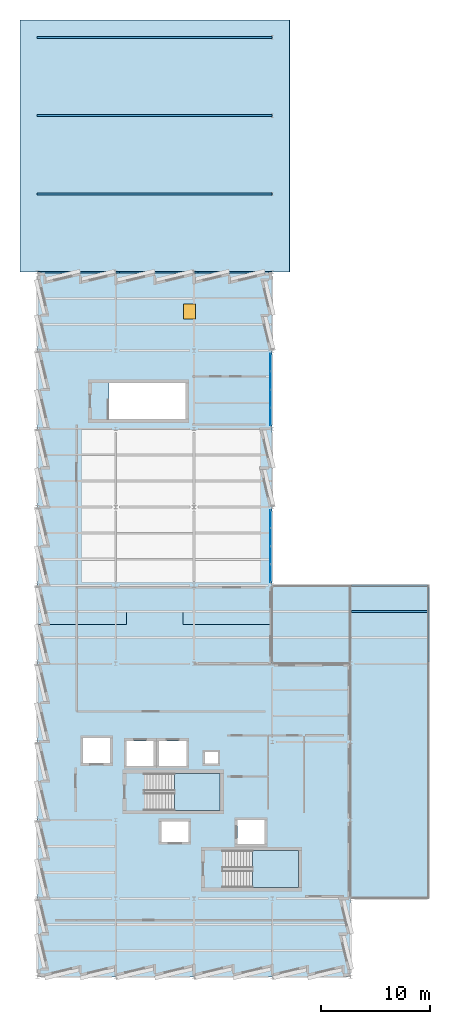
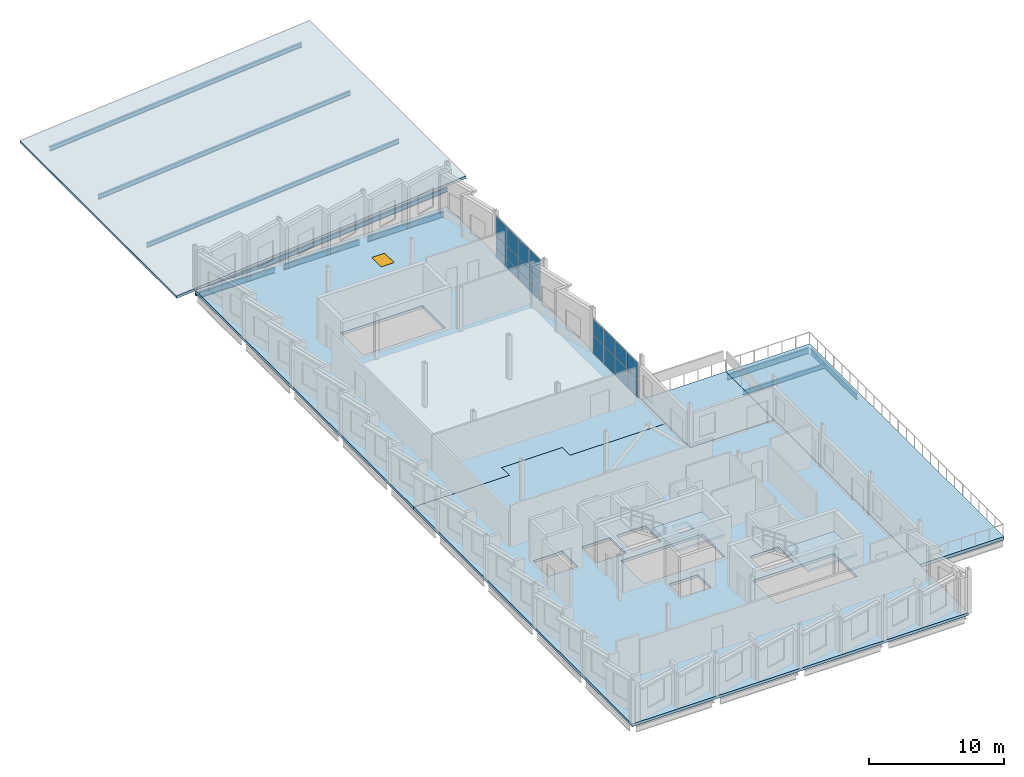
# One storey, part 10 of 18: 20 plates, 7 slabs, 6 beams, 4 members, 1 door, 1 opening, 4 elements without a shape of their own.
"""IFC4 building model written with IfcOpenShell, lengths in metres."""

from ifc_helpers import new_model, si_unit, direction, frame, origin, origin_2d, place, context, subcontext, project, spatial, polyline, rectangle, i_section, outline, extrude, material, layer, layer_set, material_profile, profile_set, type_object, element, fill, aggregate, save


model = new_model("IFC4")

# Units and contexts
model_context = context("Model", 3, precision=1e-05, world=origin(), true_north=direction((0.0, 1.0)))
body_context = subcontext(model_context, "Body", "Model", "MODEL_VIEW")
ifc_project = project(units=[si_unit("LENGTHUNIT", "METRE"), si_unit("AREAUNIT", "SQUARE_METRE"), si_unit("VOLUMEUNIT", "CUBIC_METRE"), si_unit("PLANEANGLEUNIT", "RADIAN"), si_unit("MASSUNIT", "GRAM", prefix="KILO")], contexts=[model_context])

# Site, building, storey
site_placement = place(None, origin())
site = spatial("IfcSite", under=ifc_project, at=site_placement, CompositionType="ELEMENT")
building_placement = place(site_placement, origin())
building = spatial("IfcBuilding", under=site, at=building_placement, Name="Kalmorath City Hall", CompositionType="ELEMENT")
storey_placement = place(building_placement, frame((0.0, 0.0, 27.0)))
storey = spatial("IfcBuildingStorey", under=building, at=storey_placement, Name="L06", CompositionType="ELEMENT", Elevation=27.0)

# Beam
ifc_material_1 = material(Name="Steel ASTM A992 Grade 50", Category="steel")
ifc_material_profile_1 = material_profile(ifc_material_1, i_section(OverallWidth=0.178955078125, OverallDepth=0.409912109375, WebThickness=0.0087890625, FlangeThickness=0.014404296875, FilletRadius=0.012939453125, at=origin_2d()), Name="W16X45")
ifc_profile_set_1 = profile_set([ifc_material_profile_1], Name="Steel ASTM A992 Grade 50")
beam_type_1 = type_object("IfcBeamType", Name="Steel composite joist W16X45", PredefinedType="JOIST", material=ifc_profile_set_1)
beam_1_placement = place(storey_placement, frame((28.883544921875, 33.60009765625, -0.4990234375), z_axis=(1.0, 0.0, 0.0), x_axis=(0.0, 1.0, 0.0)))
element("IfcBeam", 1, at=beam_1_placement, inside=storey, type_object=beam_type_1, Name="L06 joist SJ6 5.5.2", PredefinedType="JOIST", context=body_context, shape_type="SweptSolid", body=[
    extrude(i_section(OverallWidth=0.178955078125, OverallDepth=0.409912109375, WebThickness=0.0087890625, FlangeThickness=0.014404296875, FilletRadius=0.012939453125, at=origin_2d()), origin(), (0.0, 0.0, 1.0), 7.033935546875),
])

# Members
ifc_material_2 = material(Name="Steel ASTM A992 Grade 50", Category="steel")
ifc_material_profile_2 = material_profile(ifc_material_2, i_section(OverallWidth=0.178955078125, OverallDepth=0.409912109375, WebThickness=0.0087890625, FlangeThickness=0.014404296875, FilletRadius=0.012939453125, at=origin_2d()), Name="W16X45")
ifc_profile_set_2 = profile_set([ifc_material_profile_2], Name="Steel ASTM A992 Grade 50")
member_type = type_object("IfcMemberType", Name="Steel pitched roof rafter W16X45", PredefinedType="RAFTER", material=ifc_profile_set_2)
for number, where, z_axis, x_axis, name in (
    (2, (0.0, 64.800048828125, -0.320068359375), (0.99615301041, 0.0, 0.087630929765), (0.0, 1.0, 0.0), "V6 pitched roof rafter RF2-1"),
    (3, (0.0, 72.0, -0.320068359375), (0.99615301041, 0.0, 0.087630929765), (0.0, 1.0, 0.0), "V6 pitched roof rafter RF2-2"),
    (4, (0.0, 79.199951171875, -0.320068359375), (0.99615301041, 0.0, 0.087630929765), (0.0, 1.0, 0.0), "V6 pitched roof rafter RF2-3"),
    (5, (0.0, 86.39990234375, -0.320068359375), (0.99615301041, 0.0, 0.087630929765), (0.0, 1.0, 0.0), "V6 pitched roof rafter RF2-4"),
):
    element("IfcMember", number, at=place(storey_placement, frame(where, z_axis=z_axis, x_axis=x_axis)), inside=storey, type_object=member_type, Name=name, PredefinedType="RAFTER", context=body_context, shape_type="SweptSolid", body=[
        extrude(i_section(OverallWidth=0.178955078125, OverallDepth=0.409912109375, WebThickness=0.0087890625, FlangeThickness=0.014404296875, FilletRadius=0.012939453125, at=origin_2d()), origin(), (0.0, 0.0, 1.0), 21.68359375),
    ])

# Beams
ifc_material_3 = material(Name="Steel ASTM A992 Grade 50", Category="steel")
ifc_material_profile_3 = material_profile(ifc_material_3, i_section(OverallWidth=0.1650390625, OverallDepth=0.52490234375, WebThickness=0.0087890625, FlangeThickness=0.011474609375, FilletRadius=0.014892578125, at=origin_2d()), Name="W21X44")
ifc_profile_set_3 = profile_set([ifc_material_profile_3], Name="Steel ASTM A992 Grade 50")
beam_type_2 = type_object("IfcBeamType", Name="Steel spandrel beam W21X44", PredefinedType="SPANDREL", material=ifc_profile_set_3)
beam_2_placement = place(storey_placement, frame((28.902099609375, 36.0, -0.556396484375), z_axis=(1.0, 0.0, 0.0), x_axis=(0.0, 1.0, 0.0)))
element("IfcBeam", 6, at=beam_2_placement, inside=storey, type_object=beam_type_2, Name="L06 girder SB4 X5-6/6", PredefinedType="SPANDREL", context=body_context, shape_type="SweptSolid", body=[
    extrude(i_section(OverallWidth=0.1650390625, OverallDepth=0.52490234375, WebThickness=0.0087890625, FlangeThickness=0.011474609375, FilletRadius=0.014892578125, at=origin_2d()), origin(), (0.0, 0.0, 1.0), 6.995849609375),
])
for number, where, z_axis, x_axis, name in (
    (7, (0.35009765625, 64.800048828125, -0.556396484375), (1.0, 0.0, 0.0), (0.0, 1.0, 0.0), "L06 girder SB4 X1-2/10"),
    (8, (7.550048828125, 64.800048828125, -0.556396484375), (1.0, 0.0, 0.0), (0.0, 1.0, 0.0), "L06 girder SB4 X2-3/10"),
    (9, (14.75, 64.800048828125, -0.556396484375), (1.0, 0.0, 0.0), (0.0, 1.0, 0.0), "L06 girder SB4 X3-4/10"),
):
    element("IfcBeam", number, at=place(storey_placement, frame(where, z_axis=z_axis, x_axis=x_axis)), inside=storey, type_object=beam_type_2, Name=name, PredefinedType="SPANDREL", context=body_context, shape_type="SweptSolid", body=[
        extrude(i_section(OverallWidth=0.1650390625, OverallDepth=0.52490234375, WebThickness=0.0087890625, FlangeThickness=0.011474609375, FilletRadius=0.014892578125, at=origin_2d()), origin(), (0.0, 0.0, 1.0), 6.5),
    ])
beam_3_placement = place(storey_placement, frame((36.0, 28.97509765625, -0.556396484375), z_axis=(0.0, 1.0, 0.0), x_axis=(-1.0, 0.0, 0.0)))
element("IfcBeam", 10, at=beam_3_placement, inside=storey, type_object=beam_type_2, Name="L06 girder SB4 Y6/5-6", PredefinedType="SPANDREL", context=body_context, shape_type="SweptSolid", body=[
    extrude(i_section(OverallWidth=0.1650390625, OverallDepth=0.52490234375, WebThickness=0.0087890625, FlangeThickness=0.011474609375, FilletRadius=0.014892578125, at=origin_2d()), origin(), (0.0, 0.0, 1.0), 6.849853515625),
])

# Slab
ifc_material_4 = material(Name="Concrete C40/50", Category="concrete")
ifc_layer_1 = layer(ifc_material_4, 0.25)
ifc_layer_set_1 = layer_set([ifc_layer_1], Name="Concrete C40/50")
slab_type_1 = type_object("IfcSlabType", Name="Concrete municipal wing floor slab 250", PredefinedType="FLOOR", material=ifc_layer_set_1)
slab_1_placement = place(storey_placement, frame((0.0, 0.0, -0.25)))
element("IfcSlab", 11, at=slab_1_placement, inside=storey, type_object=slab_type_1, Name="L06 Corner Administration Block slab FS5-1", PredefinedType="FLOOR", context=body_context, shape_type="SweptSolid", body=[
    extrude(outline(polyline([(28.800048828125, 0.0), (0.0, 0.0), (0.0, 32.39990234375), (8.199951171875, 32.39990234375), (8.199951171875, 33.550048828125), (13.39990234375, 33.550048828125), (13.39990234375, 32.39990234375), (21.60009765625, 32.39990234375), (21.60009765625, 28.800048828125), (28.800048828125, 28.800048828125), (28.800048828125, 0.0)]), holes=[polyline([(9.840087890625, 18.699951171875), (9.840087890625, 15.300048828125), (16.800048828125, 15.300048828125), (16.800048828125, 18.699951171875), (9.840087890625, 18.699951171875)]), polyline([(6.699951171875, 21.949951171875), (4.199951171875, 21.949951171875), (4.199951171875, 19.64990234375), (6.699951171875, 19.64990234375), (6.699951171875, 21.949951171875)]), polyline([(10.699951171875, 19.39990234375), (10.699951171875, 21.699951171875), (8.199951171875, 21.699951171875), (8.199951171875, 19.39990234375), (10.699951171875, 19.39990234375)]), polyline([(11.199951171875, 19.39990234375), (13.699951171875, 19.39990234375), (13.699951171875, 21.699951171875), (11.199951171875, 21.699951171875), (11.199951171875, 19.39990234375)]), polyline([(17.0400390625, 11.60009765625), (17.0400390625, 8.199951171875), (24.0, 8.199951171875), (24.0, 11.60009765625), (17.0400390625, 11.60009765625)]), polyline([(13.89990234375, 14.300048828125), (11.39990234375, 14.300048828125), (11.39990234375, 12.39990234375), (13.89990234375, 12.39990234375), (13.89990234375, 14.300048828125)]), polyline([(20.89990234375, 12.199951171875), (20.89990234375, 14.39990234375), (18.39990234375, 14.39990234375), (18.39990234375, 12.199951171875), (20.89990234375, 12.199951171875)]), polyline([(15.39990234375, 20.679931640625), (15.39990234375, 19.60009765625), (16.60009765625, 19.60009765625), (16.60009765625, 20.679931640625), (15.39990234375, 20.679931640625)])]), origin(), (0.0, 0.0, 1.0), 0.25),
])

# Slab, opening, door
slab_2_placement = place(storey_placement, frame((0.0, 0.0, -0.25)))
slab_2 = element("IfcSlab", 12, at=slab_2_placement, inside=storey, type_object=slab_type_1, Name="L06 Corner Administration Block slab FS5-2", PredefinedType="FLOOR", context=body_context, shape_type="SweptSolid", body=[
    extrude(outline(polyline([(21.60009765625, 64.800048828125), (21.60009765625, 32.39990234375), (13.39990234375, 32.39990234375), (13.39990234375, 33.550048828125), (8.199951171875, 33.550048828125), (8.199951171875, 32.39990234375), (0.0, 32.39990234375), (0.0, 64.800048828125), (21.60009765625, 64.800048828125)]), holes=[polyline([(6.590087890625, 51.300048828125), (13.60009765625, 51.300048828125), (13.60009765625, 54.60009765625), (6.590087890625, 54.60009765625), (6.590087890625, 51.300048828125)])]), origin(), (0.0, 0.0, 1.0), 0.25),
])
opening_placement = place(slab_2_placement, frame((14.0, 61.199951171875, 0.0)))
opening = element("IfcOpeningElement", 13, at=opening_placement, cuts=slab_2, Name="Opening D-H03", PredefinedType="OPENING", context=body_context, shape_type="SweptSolid", body=[
    extrude(rectangle(XDim=1.10009765625, YDim=1.39990234375, at=origin_2d()), origin(), (0.0, 0.0, 1.0), 0.25),
])
ifc_material_5 = material(Name="Galvanised steel hatch", Category="steel")
door_type = type_object("IfcDoorType", Name="Insulated hurricane roof access hatch 1100x1400", OperationType="SINGLE_SWING_LEFT", PredefinedType="TRAPDOOR", material=ifc_material_5)
door_placement = place(opening_placement, frame((0.0, 0.0, 0.199951171875)))
door = element("IfcDoor", 14, at=door_placement, inside=storey, type_object=door_type, Name="L06 roof access hatch D-H03", OperationType="SINGLE_SWING_LEFT", OverallHeight=1.39990234375, OverallWidth=1.10009765625, PredefinedType="TRAPDOOR", context=body_context, shape_type="SweptSolid", body=[
    extrude(rectangle(XDim=1.10009765625, YDim=1.39990234375, at=origin_2d()), origin(), (0.0, 0.0, 1.0), 0.050048828125),
])
fill(opening, door)

# Slabs
ifc_material_6 = material(Name="Concrete C40/50", Category="concrete")
ifc_layer_2 = layer(ifc_material_6, 0.2900390625)
ifc_layer_set_2 = layer_set([ifc_layer_2], Name="Concrete C40/50")
slab_type_2 = type_object("IfcSlabType", Name="Concrete planted roof terrace slab 290", PredefinedType="FLOOR", material=ifc_layer_set_2)
slab_3_placement = place(storey_placement, frame((0.0, 0.0, -0.2900390625)))
element("IfcSlab", 15, at=slab_3_placement, inside=storey, type_object=slab_type_2, Name="L06 Executive East Roof Terrace slab", PredefinedType="FLOOR", context=body_context, shape_type="SweptSolid", body=[
    extrude(outline(polyline([(28.800048828125, 7.199951171875), (36.0, 7.199951171875), (36.0, 36.0), (28.800048828125, 36.0), (28.800048828125, 7.199951171875)])), origin(), (0.0, 0.0, 1.0), 0.2900390625),
])
ifc_material_7 = material(Name="Concrete C40/50", Category="concrete")
ifc_layer_3 = layer(ifc_material_7, 0.22998046875)
ifc_layer_set_3 = layer_set([ifc_layer_3], Name="Concrete C40/50")
slab_type_3 = type_object("IfcSlabType", Name="Concrete recessed corner loggia slab 230", PredefinedType="FLOOR", material=ifc_layer_set_3)
slab_4_placement = place(storey_placement, frame((0.0, 0.0, -0.22998046875)))
element("IfcSlab", 16, at=slab_4_placement, inside=storey, type_object=slab_type_3, Name="L06 Northeast Corner Loggia slab", PredefinedType="FLOOR", context=body_context, shape_type="SweptSolid", body=[
    extrude(outline(polyline([(21.60009765625, 28.800048828125), (28.800048828125, 28.800048828125), (28.800048828125, 36.0), (21.60009765625, 36.0), (21.60009765625, 28.800048828125)])), origin(), (0.0, 0.0, 1.0), 0.22998046875),
])
ifc_material_8 = material(Name="Concrete C40/50", Category="concrete")
ifc_layer_4 = layer(ifc_material_8, 0.219970703125)
ifc_layer_set_4 = layer_set([ifc_layer_4], Name="Concrete C40/50")
slab_type_4 = type_object("IfcSlabType", Name="Concrete sloped hurricane roof slab 220", PredefinedType="ROOF", material=ifc_layer_set_4)
slab_5_placement = place(storey_placement, frame((-1.60009765625, 64.800048828125, 0.0), z_axis=(-0.088360559345, 0.0, 0.996088556079), x_axis=(0.996088556079, 0.0, 0.088360559345)))
element("IfcSlab", 17, at=slab_5_placement, inside=storey, type_object=slab_type_4, Name="West Sawtooth Wing L06 north pitched roof", PredefinedType="ROOF", context=body_context, shape_type="SweptSolid", body=[
    extrude(outline(polyline([(0.0, 0.0), (24.897433743982898, 0.0), (24.897433743982898, 23.199951171875), (0.0, 23.199951171875), (0.0, 0.0)])), origin(), (0.0, 0.0, -1.0), 0.219970703125),
])

# Stair, slab
ifc_material_9 = material(Name="Concrete C40/50", Category="concrete")
stair_type = type_object("IfcStairType", Name="Dogleg concrete exit stair 22R x 184mm W1600", PredefinedType="HALF_TURN_STAIR", material=ifc_material_9)
stair_1_placement = place(storey_placement, origin())
stair_1 = element("IfcStair", 18, at=stair_1_placement, inside=storey, type_object=stair_type, Name="L06 Protected exit stair ST-1", PredefinedType="HALF_TURN_STAIR")
ifc_material_10 = material(Name="Concrete C40/50", Category="concrete")
ifc_layer_5 = layer(ifc_material_10, 0.199951171875)
ifc_layer_set_5 = layer_set([ifc_layer_5], Name="Concrete C40/50")
slab_type_5 = type_object("IfcSlabType", Name="Concrete stair half-landing slab 200", PredefinedType="LANDING", material=ifc_layer_set_5)
slab_6_placement = place(storey_placement, frame((0.0, 0.0, 1.824951171875)))
slab_6 = element("IfcSlab", 19, at=slab_6_placement, type_object=slab_type_5, Name="ST-1 landing 1", PredefinedType="LANDING", context=body_context, shape_type="SweptSolid", body=[
    extrude(outline(polyline([(12.60009765625, 15.300048828125), (16.800048828125, 15.300048828125), (16.800048828125, 18.699951171875), (12.60009765625, 18.699951171875), (12.60009765625, 15.300048828125)])), origin(), (0.0, 0.0, 1.0), 0.199951171875),
])
aggregate(stair_1, [slab_6])

stair_2_placement = place(storey_placement, origin())
stair_2 = element("IfcStair", 20, at=stair_2_placement, inside=storey, type_object=stair_type, Name="L06 Protected exit stair ST-2", PredefinedType="HALF_TURN_STAIR")
slab_7_placement = place(storey_placement, frame((0.0, 0.0, 1.824951171875)))
slab_7 = element("IfcSlab", 21, at=slab_7_placement, type_object=slab_type_5, Name="ST-2 landing 1", PredefinedType="LANDING", context=body_context, shape_type="SweptSolid", body=[
    extrude(outline(polyline([(19.800048828125, 8.199951171875), (24.0, 8.199951171875), (24.0, 11.60009765625), (19.800048828125, 11.60009765625), (19.800048828125, 8.199951171875)])), origin(), (0.0, 0.0, 1.0), 0.199951171875),
])
aggregate(stair_2, [slab_7])

# Curtain wall, plates
ifc_material_11 = material(Name="Anodised aluminium and laminated glass", Category="aluminium")
curtain_wall_type_1 = type_object("IfcCurtainWallType", Name="Unitised hurricane curtain wall 6712x3256 M1600", PredefinedType="NOTDEFINED", material=ifc_material_11)
curtain_wall_1_placement = place(storey_placement, origin())
curtain_wall_1 = element("IfcCurtainWall", 22, at=curtain_wall_1_placement, inside=storey, type_object=curtain_wall_type_1, Name="L06 curtain wall CW-67X33M16 #174", PredefinedType="NOTDEFINED")
ifc_material_12 = material(Name="Hurricane laminated low-E glass", Category="glass")
ifc_layer_6 = layer(ifc_material_12, 0.028076171875)
ifc_layer_set_6 = layer_set([ifc_layer_6], Name="Hurricane laminated low-E glass")
plate_type = type_object("IfcPlateType", Name="Courtyard solar-control glazed panel 28", PredefinedType="CURTAIN_PANEL", material=ifc_layer_set_6)
plate_1_placement = place(storey_placement, frame((21.43994140625, 37.099365234375, 0.06005859375), z_axis=(0.0, 0.0, 1.0), x_axis=(0.0, 1.0, 0.0)))
plate_1 = element("IfcPlate", 23, at=plate_1_placement, type_object=plate_type, Name="CW-67X33M16 panel 1.1", PredefinedType="CURTAIN_PANEL", context=body_context, shape_type="SweptSolid", body=[
    extrude(rectangle(XDim=1.58056640625, YDim=0.028076171875, at=origin_2d()), origin(), (0.0, 0.0, 1.0), 1.60302734375),
])
plate_2_placement = place(storey_placement, frame((21.43994140625, 37.099365234375, 1.72314453125), z_axis=(0.0, 0.0, 1.0), x_axis=(0.0, 1.0, 0.0)))
plate_2 = element("IfcPlate", 24, at=plate_2_placement, type_object=plate_type, Name="CW-67X33M16 panel 1.2", PredefinedType="CURTAIN_PANEL", context=body_context, shape_type="SweptSolid", body=[
    extrude(rectangle(XDim=1.58056640625, YDim=0.028076171875, at=origin_2d()), origin(), (0.0, 0.0, 1.0), 1.472900390625),
])
plate_3_placement = place(storey_placement, frame((21.43994140625, 38.760986328125, 0.06005859375), z_axis=(0.0, 0.0, 1.0), x_axis=(0.0, 1.0, 0.0)))
plate_3 = element("IfcPlate", 25, at=plate_3_placement, type_object=plate_type, Name="CW-67X33M16 panel 2.1", PredefinedType="CURTAIN_PANEL", context=body_context, shape_type="SweptSolid", body=[
    extrude(rectangle(XDim=1.613037109375, YDim=0.028076171875, at=origin_2d()), origin(), (0.0, 0.0, 1.0), 1.60302734375),
])
plate_4_placement = place(storey_placement, frame((21.43994140625, 38.760986328125, 1.72314453125), z_axis=(0.0, 0.0, 1.0), x_axis=(0.0, 1.0, 0.0)))
plate_4 = element("IfcPlate", 26, at=plate_4_placement, type_object=plate_type, Name="CW-67X33M16 panel 2.2", PredefinedType="CURTAIN_PANEL", context=body_context, shape_type="SweptSolid", body=[
    extrude(rectangle(XDim=1.613037109375, YDim=0.028076171875, at=origin_2d()), origin(), (0.0, 0.0, 1.0), 1.472900390625),
])
plate_5_placement = place(storey_placement, frame((21.43994140625, 40.43896484375, 0.06005859375), z_axis=(0.0, 0.0, 1.0), x_axis=(0.0, 1.0, 0.0)))
plate_5 = element("IfcPlate", 27, at=plate_5_placement, type_object=plate_type, Name="CW-67X33M16 panel 3.1", PredefinedType="CURTAIN_PANEL", context=body_context, shape_type="SweptSolid", body=[
    extrude(rectangle(XDim=1.613037109375, YDim=0.028076171875, at=origin_2d()), origin(), (0.0, 0.0, 1.0), 1.60302734375),
])
plate_6_placement = place(storey_placement, frame((21.43994140625, 40.43896484375, 1.72314453125), z_axis=(0.0, 0.0, 1.0), x_axis=(0.0, 1.0, 0.0)))
plate_6 = element("IfcPlate", 28, at=plate_6_placement, type_object=plate_type, Name="CW-67X33M16 panel 3.2", PredefinedType="CURTAIN_PANEL", context=body_context, shape_type="SweptSolid", body=[
    extrude(rectangle(XDim=1.613037109375, YDim=0.028076171875, at=origin_2d()), origin(), (0.0, 0.0, 1.0), 1.472900390625),
])
plate_7_placement = place(storey_placement, frame((21.43994140625, 42.100830078125, 0.06005859375), z_axis=(0.0, 0.0, 1.0), x_axis=(0.0, 1.0, 0.0)))
plate_7 = element("IfcPlate", 29, at=plate_7_placement, type_object=plate_type, Name="CW-67X33M16 panel 4.1", PredefinedType="CURTAIN_PANEL", context=body_context, shape_type="SweptSolid", body=[
    extrude(rectangle(XDim=1.58056640625, YDim=0.028076171875, at=origin_2d()), origin(), (0.0, 0.0, 1.0), 1.60302734375),
])
plate_8_placement = place(storey_placement, frame((21.43994140625, 42.100830078125, 1.72314453125), z_axis=(0.0, 0.0, 1.0), x_axis=(0.0, 1.0, 0.0)))
plate_8 = element("IfcPlate", 30, at=plate_8_placement, type_object=plate_type, Name="CW-67X33M16 panel 4.2", PredefinedType="CURTAIN_PANEL", context=body_context, shape_type="SweptSolid", body=[
    extrude(rectangle(XDim=1.58056640625, YDim=0.028076171875, at=origin_2d()), origin(), (0.0, 0.0, 1.0), 1.472900390625),
])
aggregate(curtain_wall_1, [plate_1, plate_2, plate_3, plate_4, plate_5, plate_6, plate_7, plate_8])

ifc_material_13 = material(Name="Anodised aluminium and laminated glass", Category="aluminium")
curtain_wall_type_2 = type_object("IfcCurtainWallType", Name="Unitised hurricane curtain wall 6712x3800 M1600", PredefinedType="NOTDEFINED", material=ifc_material_13)
curtain_wall_2_placement = place(storey_placement, origin())
curtain_wall_2 = element("IfcCurtainWall", 31, at=curtain_wall_2_placement, inside=storey, type_object=curtain_wall_type_2, Name="L06 curtain wall CW-67X38M16 #175", PredefinedType="NOTDEFINED")
plate_9_placement = place(storey_placement, frame((21.43994140625, 51.499267578125, 0.06005859375), z_axis=(0.0, 0.0, 1.0), x_axis=(0.0, 1.0, 0.0)))
plate_9 = element("IfcPlate", 32, at=plate_9_placement, type_object=plate_type, Name="CW-67X38M16 panel 1.1", PredefinedType="CURTAIN_PANEL", context=body_context, shape_type="SweptSolid", body=[
    extrude(rectangle(XDim=1.58056640625, YDim=0.028076171875, at=origin_2d()), origin(), (0.0, 0.0, 1.0), 0.760009765625),
])
plate_10_placement = place(storey_placement, frame((21.43994140625, 51.499267578125, 0.880126953125), z_axis=(0.0, 0.0, 1.0), x_axis=(0.0, 1.0, 0.0)))
plate_10 = element("IfcPlate", 33, at=plate_10_placement, type_object=plate_type, Name="CW-67X38M16 panel 1.2", PredefinedType="CURTAIN_PANEL", context=body_context, shape_type="SweptSolid", body=[
    extrude(rectangle(XDim=1.58056640625, YDim=0.028076171875, at=origin_2d()), origin(), (0.0, 0.0, 1.0), 1.06591796875),
])
plate_11_placement = place(storey_placement, frame((21.43994140625, 51.499267578125, 2.006103515625), z_axis=(0.0, 0.0, 1.0), x_axis=(0.0, 1.0, 0.0)))
plate_11 = element("IfcPlate", 34, at=plate_11_placement, type_object=plate_type, Name="CW-67X38M16 panel 1.3", PredefinedType="CURTAIN_PANEL", context=body_context, shape_type="SweptSolid", body=[
    extrude(rectangle(XDim=1.58056640625, YDim=0.028076171875, at=origin_2d()), origin(), (0.0, 0.0, 1.0), 1.73388671875),
])
plate_12_placement = place(storey_placement, frame((21.43994140625, 53.160888671875, 0.06005859375), z_axis=(0.0, 0.0, 1.0), x_axis=(0.0, 1.0, 0.0)))
plate_12 = element("IfcPlate", 35, at=plate_12_placement, type_object=plate_type, Name="CW-67X38M16 panel 2.1", PredefinedType="CURTAIN_PANEL", context=body_context, shape_type="SweptSolid", body=[
    extrude(rectangle(XDim=1.613037109375, YDim=0.028076171875, at=origin_2d()), origin(), (0.0, 0.0, 1.0), 0.760009765625),
])
plate_13_placement = place(storey_placement, frame((21.43994140625, 53.160888671875, 0.880126953125), z_axis=(0.0, 0.0, 1.0), x_axis=(0.0, 1.0, 0.0)))
plate_13 = element("IfcPlate", 36, at=plate_13_placement, type_object=plate_type, Name="CW-67X38M16 panel 2.2", PredefinedType="CURTAIN_PANEL", context=body_context, shape_type="SweptSolid", body=[
    extrude(rectangle(XDim=1.613037109375, YDim=0.028076171875, at=origin_2d()), origin(), (0.0, 0.0, 1.0), 1.06591796875),
])
plate_14_placement = place(storey_placement, frame((21.43994140625, 53.160888671875, 2.006103515625), z_axis=(0.0, 0.0, 1.0), x_axis=(0.0, 1.0, 0.0)))
plate_14 = element("IfcPlate", 37, at=plate_14_placement, type_object=plate_type, Name="CW-67X38M16 panel 2.3", PredefinedType="CURTAIN_PANEL", context=body_context, shape_type="SweptSolid", body=[
    extrude(rectangle(XDim=1.613037109375, YDim=0.028076171875, at=origin_2d()), origin(), (0.0, 0.0, 1.0), 1.73388671875),
])
plate_15_placement = place(storey_placement, frame((21.43994140625, 54.839111328125, 0.06005859375), z_axis=(0.0, 0.0, 1.0), x_axis=(0.0, 1.0, 0.0)))
plate_15 = element("IfcPlate", 38, at=plate_15_placement, type_object=plate_type, Name="CW-67X38M16 panel 3.1", PredefinedType="CURTAIN_PANEL", context=body_context, shape_type="SweptSolid", body=[
    extrude(rectangle(XDim=1.613037109375, YDim=0.028076171875, at=origin_2d()), origin(), (0.0, 0.0, 1.0), 0.760009765625),
])
plate_16_placement = place(storey_placement, frame((21.43994140625, 54.839111328125, 0.880126953125), z_axis=(0.0, 0.0, 1.0), x_axis=(0.0, 1.0, 0.0)))
plate_16 = element("IfcPlate", 39, at=plate_16_placement, type_object=plate_type, Name="CW-67X38M16 panel 3.2", PredefinedType="CURTAIN_PANEL", context=body_context, shape_type="SweptSolid", body=[
    extrude(rectangle(XDim=1.613037109375, YDim=0.028076171875, at=origin_2d()), origin(), (0.0, 0.0, 1.0), 1.06591796875),
])
plate_17_placement = place(storey_placement, frame((21.43994140625, 54.839111328125, 2.006103515625), z_axis=(0.0, 0.0, 1.0), x_axis=(0.0, 1.0, 0.0)))
plate_17 = element("IfcPlate", 40, at=plate_17_placement, type_object=plate_type, Name="CW-67X38M16 panel 3.3", PredefinedType="CURTAIN_PANEL", context=body_context, shape_type="SweptSolid", body=[
    extrude(rectangle(XDim=1.613037109375, YDim=0.028076171875, at=origin_2d()), origin(), (0.0, 0.0, 1.0), 1.73388671875),
])
plate_18_placement = place(storey_placement, frame((21.43994140625, 56.500732421875, 0.06005859375), z_axis=(0.0, 0.0, 1.0), x_axis=(0.0, 1.0, 0.0)))
plate_18 = element("IfcPlate", 41, at=plate_18_placement, type_object=plate_type, Name="CW-67X38M16 panel 4.1", PredefinedType="CURTAIN_PANEL", context=body_context, shape_type="SweptSolid", body=[
    extrude(rectangle(XDim=1.58056640625, YDim=0.028076171875, at=origin_2d()), origin(), (0.0, 0.0, 1.0), 0.760009765625),
])
plate_19_placement = place(storey_placement, frame((21.43994140625, 56.500732421875, 0.880126953125), z_axis=(0.0, 0.0, 1.0), x_axis=(0.0, 1.0, 0.0)))
plate_19 = element("IfcPlate", 42, at=plate_19_placement, type_object=plate_type, Name="CW-67X38M16 panel 4.2", PredefinedType="CURTAIN_PANEL", context=body_context, shape_type="SweptSolid", body=[
    extrude(rectangle(XDim=1.58056640625, YDim=0.028076171875, at=origin_2d()), origin(), (0.0, 0.0, 1.0), 1.06591796875),
])
plate_20_placement = place(storey_placement, frame((21.43994140625, 56.500732421875, 2.006103515625), z_axis=(0.0, 0.0, 1.0), x_axis=(0.0, 1.0, 0.0)))
plate_20 = element("IfcPlate", 43, at=plate_20_placement, type_object=plate_type, Name="CW-67X38M16 panel 4.3", PredefinedType="CURTAIN_PANEL", context=body_context, shape_type="SweptSolid", body=[
    extrude(rectangle(XDim=1.58056640625, YDim=0.028076171875, at=origin_2d()), origin(), (0.0, 0.0, 1.0), 1.73388671875),
])
aggregate(curtain_wall_2, [plate_9, plate_10, plate_11, plate_12, plate_13, plate_14, plate_15, plate_16, plate_17, plate_18, plate_19, plate_20])

save(model, "model.ifc")
